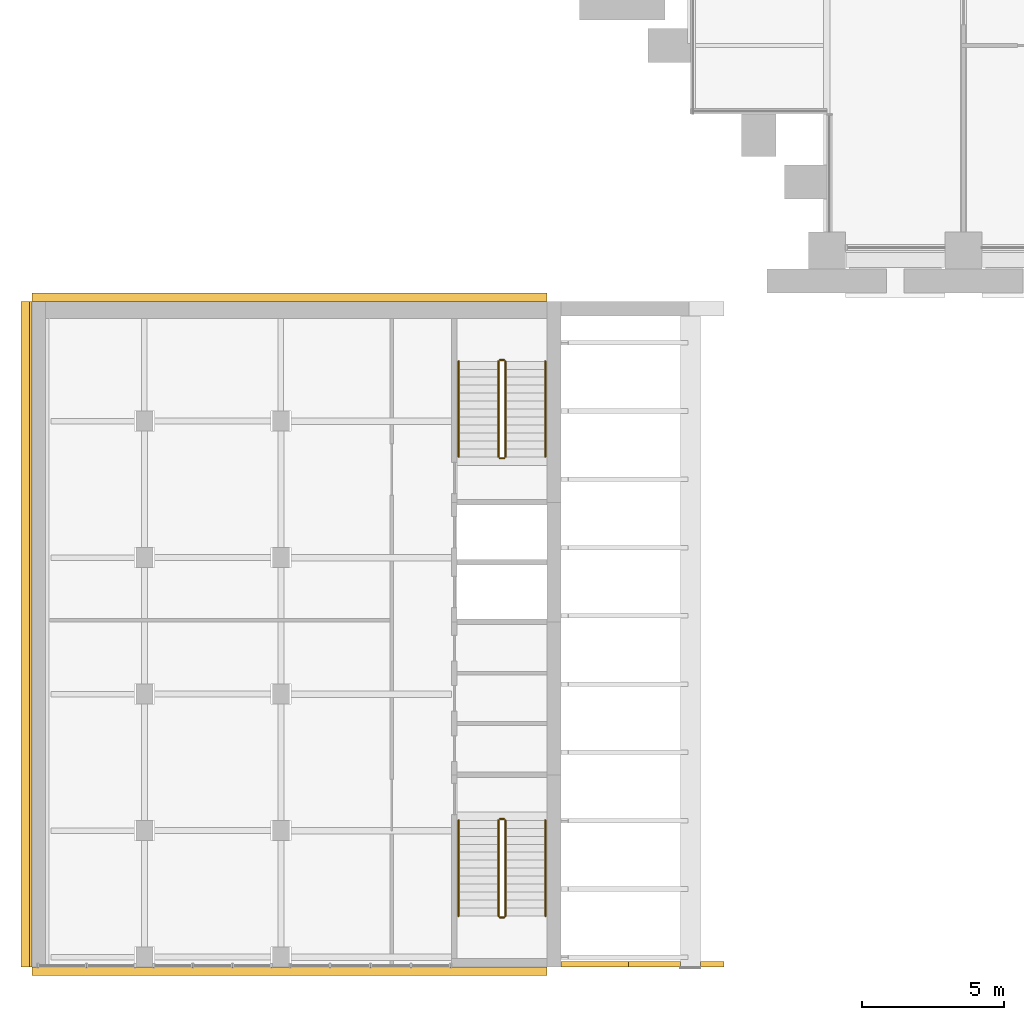
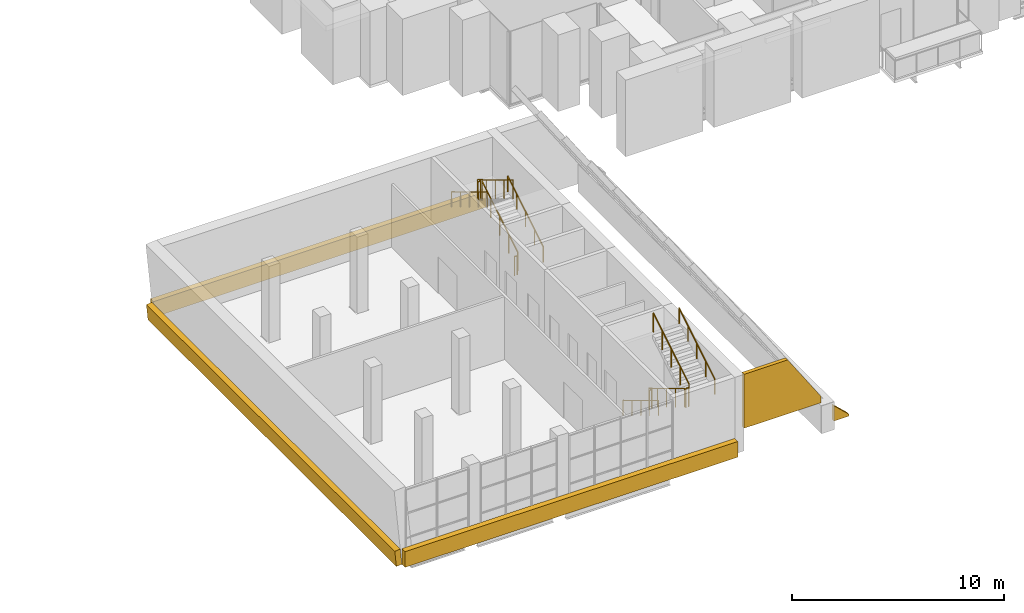
# One storey, part 29 of 32: 12 railings, 5 coverings.
"""IFC4 building model written with IfcOpenShell, lengths in metres."""

from ifc_helpers import new_model, si_unit, direction, frame, origin, origin_2d, place, context, subcontext, project, spatial, polyline, circle, outline, extrude, material, layer, layer_set, type_object, element, save


model = new_model("IFC4")

# Units and contexts
model_context = context("Model", 3, precision=1e-05, world=origin(), true_north=direction((0.0, 1.0)))
body_context = subcontext(model_context, "Body", "Model", "MODEL_VIEW")
ifc_project = project(units=[si_unit("LENGTHUNIT", "METRE"), si_unit("AREAUNIT", "SQUARE_METRE"), si_unit("VOLUMEUNIT", "CUBIC_METRE"), si_unit("PLANEANGLEUNIT", "RADIAN"), si_unit("MASSUNIT", "GRAM", prefix="KILO")], contexts=[model_context])

# Site, building, storey
site_placement = place(None, origin())
site = spatial("IfcSite", under=ifc_project, at=site_placement, CompositionType="ELEMENT")
building_placement = place(site_placement, origin())
building = spatial("IfcBuilding", under=site, at=building_placement, Name="Baori Bourse Tower", CompositionType="ELEMENT")
storey_placement = place(building_placement, frame((0.0, 0.0, 21.39990234375)))
storey = spatial("IfcBuildingStorey", under=building, at=storey_placement, Name="L03", CompositionType="ELEMENT", Elevation=21.39990234375)

# Coverings
ifc_material_1 = material(Name="Pale anodised aluminium", Category="aluminium")
ifc_layer_1 = layer(ifc_material_1, 0.199951171875)
ifc_layer_set_1 = layer_set([ifc_layer_1], Name="Fascia metal band 200")
covering_type_1 = type_object("IfcCoveringType", Name="Fascia metal band 200", PredefinedType="CLADDING", material=ifc_layer_set_1)
covering_1_placement = place(storey_placement, frame((0.25, -25.10009765625, 1.300048828125), z_axis=(0.0, 0.0, 1.0), x_axis=(1.0, 0.0, 0.0)))
element("IfcCovering", 1, at=covering_1_placement, inside=storey, type_object=covering_type_1, Name="wing/L03/fascia/001", PredefinedType="CLADDING", context=body_context, shape_type="SweptSolid", body=[
    extrude(outline(polyline([(0.0, 0.0), (4.199951171875, 0.0), (4.199951171875, 0.35693359375), (2.37744140625, 3.10009765625), (0.0, 3.10009765625), (0.0, 0.0)])), frame((0.0, 0.10009765625, 0.0), z_axis=(0.0, -1.0, 0.0), x_axis=(1.0, 0.0, 0.0)), (0.0, 0.0, 1.0), 0.199951171875),
])
covering_2_placement = place(storey_placement, frame((5.14990234375, -25.10009765625, 0.0), z_axis=(0.0, 0.0, 1.0), x_axis=(1.0, 0.0, 0.0)))
element("IfcCovering", 2, at=covering_2_placement, inside=storey, type_object=covering_type_1, Name="wing/L03/fascia/002", PredefinedType="CLADDING", context=body_context, shape_type="SweptSolid", body=[
    extrude(outline(polyline([(0.0, 0.0), (0.8232421875, 0.0), (0.8232421875, 0.10009765625), (0.0, 0.869140625), (0.0, 0.0)])), frame((0.0, 0.10009765625, 0.0), z_axis=(0.0, -1.0, 0.0), x_axis=(1.0, 0.0, 0.0)), (0.0, 0.0, 1.0), 0.199951171875),
])
ifc_material_2 = material(Name="Pale anodised aluminium", Category="aluminium")
ifc_layer_2 = layer(ifc_material_2, 0.300048828125)
ifc_layer_set_2 = layer_set([ifc_layer_2], Name="Pale metal band 900x300")
covering_type_2 = type_object("IfcCoveringType", Name="Pale metal band 900x300", PredefinedType="CLADDING", material=ifc_layer_set_2)
covering_3_placement = place(storey_placement, origin())
element("IfcCovering", 3, at=covering_3_placement, inside=storey, type_object=covering_type_2, Name="BAND", PredefinedType="CLADDING", context=body_context, shape_type="SweptSolid", body=[
    extrude(outline(polyline([(-18.3525390625, -25.5), (-0.25, -25.5), (-0.25, -25.199951171875), (-18.3525390625, -25.199951171875), (-18.3525390625, -25.5)])), origin(), (0.0, 0.0, 1.0), 0.900146484375),
])
covering_4_placement = place(storey_placement, origin())
element("IfcCovering", 4, at=covering_4_placement, inside=storey, type_object=covering_type_2, Name="BAND", PredefinedType="CLADDING", context=body_context, shape_type="SweptSolid", body=[
    extrude(outline(polyline([(-18.3525390625, -1.800048828125), (-0.25, -1.800048828125), (-0.25, -1.5), (-18.3525390625, -1.5), (-18.3525390625, -1.800048828125)])), origin(), (0.0, 0.0, 1.0), 0.900146484375),
])
covering_5_placement = place(storey_placement, frame((-18.3525390625, -25.199951171875, 0.0), z_axis=(0.995396654785, 0.0, 0.095841012327), x_axis=(0.0, 1.0, 0.0)))
element("IfcCovering", 5, at=covering_5_placement, inside=storey, type_object=covering_type_2, Name="BAND", PredefinedType="CLADDING", context=body_context, shape_type="SweptSolid", body=[
    extrude(outline(polyline([(0.0, 0.0), (23.39990234375, 0.0), (23.39990234375, 0.9043093324136883), (0.0, 0.9043093324136883), (0.0, 0.0)])), origin(), (0.0, 0.0, -1.0), 0.300048828125),
])

# Railings
ifc_material_3 = material(Name="Stainless steel AISI 316", Category="steel")
railing_type_1 = type_object("IfcRailingType", Name="Wing guard 1100", PredefinedType="GUARDRAIL", material=ifc_material_3)
railing_1_placement = place(storey_placement, frame((-1.699951171875, -7.260009765625, 0.16943359375)))
element("IfcRailing", 6, at=railing_1_placement, inside=storey, type_object=railing_type_1, Name="L03 W-STA stair guard 1", PredefinedType="GUARDRAIL", context=body_context, shape_type="SweptSolid", body=[
    extrude(circle(Radius=0.02392578125, at=origin_2d()), frame((0.0, 0.0, 1.076171875), z_axis=(0.0, 0.855836976705, 0.517245656632), x_axis=(-1.0, 0.0, 0.0)), (0.0, 0.0, 1.0), 3.926025390625),
    extrude(circle(Radius=0.02099609375, at=origin_2d()), origin(), (0.0, 0.0, 1.0), 1.052001953125),
    extrude(circle(Radius=0.02099609375, at=origin_2d()), frame((0.0, 0.840087890625, 0.5078125)), (0.0, 0.0, 1.0), 1.052001953125),
    extrude(circle(Radius=0.02099609375, at=origin_2d()), frame((0.0, 1.68017578125, 1.015380859375)), (0.0, 0.0, 1.0), 1.052001953125),
    extrude(circle(Radius=0.02099609375, at=origin_2d()), frame((0.0, 2.52001953125, 1.52294921875)), (0.0, 0.0, 1.0), 1.052001953125),
    extrude(circle(Radius=0.02099609375, at=origin_2d()), frame((0.0, 3.360107421875, 2.03076171875)), (0.0, 0.0, 1.0), 1.052001953125),
])
railing_2_placement = place(storey_placement, frame((-1.75, -3.85009765625, 2.2001953125)))
element("IfcRailing", 7, at=railing_2_placement, inside=storey, type_object=railing_type_1, Name="L03 W-STA stair guard 2", PredefinedType="GUARDRAIL", context=body_context, shape_type="SweptSolid", body=[
    extrude(circle(Radius=0.02392578125, at=origin_2d()), frame((0.0, 0.0, 1.076171875), z_axis=(-1.0, 0.0, 0.0), x_axis=(0.0, -1.0, 0.0)), (0.0, 0.0, 1.0), 0.14990234375),
    extrude(circle(Radius=0.02099609375, at=origin_2d()), origin(), (0.0, 0.0, 1.0), 1.052001953125),
    extrude(circle(Radius=0.02099609375, at=origin_2d()), frame((-0.14990234375, 0.0, 0.0)), (0.0, 0.0, 1.0), 1.052001953125),
])
railing_3_placement = place(storey_placement, frame((-1.949951171875, -3.89990234375, 2.369384765625)))
element("IfcRailing", 8, at=railing_3_placement, inside=storey, type_object=railing_type_1, Name="L03 W-STA stair guard 3", PredefinedType="GUARDRAIL", context=body_context, shape_type="SweptSolid", body=[
    extrude(circle(Radius=0.02392578125, at=origin_2d()), frame((0.0, 0.0, 1.076171875), z_axis=(0.0, -0.855836976705, 0.517245656632), x_axis=(1.0, 0.0, 0.0)), (0.0, 0.0, 1.0), 3.926025390625),
    extrude(circle(Radius=0.02099609375, at=origin_2d()), origin(), (0.0, 0.0, 1.0), 1.052001953125),
    extrude(circle(Radius=0.02099609375, at=origin_2d()), frame((0.0, -0.840087890625, 0.5078125)), (0.0, 0.0, 1.0), 1.052001953125),
    extrude(circle(Radius=0.02099609375, at=origin_2d()), frame((0.0, -1.68017578125, 1.015380859375)), (0.0, 0.0, 1.0), 1.052001953125),
    extrude(circle(Radius=0.02099609375, at=origin_2d()), frame((0.0, -2.52001953125, 1.52294921875)), (0.0, 0.0, 1.0), 1.052001953125),
    extrude(circle(Radius=0.02099609375, at=origin_2d()), frame((0.0, -3.360107421875, 2.03076171875)), (0.0, 0.0, 1.0), 1.052001953125),
])
railing_4_placement = place(storey_placement, frame((-1.75, -7.31005859375, 0.0)))
element("IfcRailing", 9, at=railing_4_placement, inside=storey, type_object=railing_type_1, Name="L03 W-STA stair guard 4", PredefinedType="GUARDRAIL", context=body_context, shape_type="SweptSolid", body=[
    extrude(circle(Radius=0.02392578125, at=origin_2d()), frame((0.0, 0.0, 1.076171875), z_axis=(-1.0, 0.0, 0.0), x_axis=(0.0, -1.0, 0.0)), (0.0, 0.0, 1.0), 0.14990234375),
    extrude(circle(Radius=0.02099609375, at=origin_2d()), origin(), (0.0, 0.0, 1.0), 1.052001953125),
    extrude(circle(Radius=0.02099609375, at=origin_2d()), frame((-0.14990234375, 0.0, 0.0)), (0.0, 0.0, 1.0), 1.052001953125),
])
railing_5_placement = place(storey_placement, frame((-1.949951171875, -20.0400390625, 0.16943359375)))
element("IfcRailing", 10, at=railing_5_placement, inside=storey, type_object=railing_type_1, Name="L03 W-STB stair guard 1", PredefinedType="GUARDRAIL", context=body_context, shape_type="SweptSolid", body=[
    extrude(circle(Radius=0.02392578125, at=origin_2d()), frame((0.0, 0.0, 1.076171875), z_axis=(0.0, -0.855820338506, 0.51727318527), x_axis=(1.0, 0.0, 0.0)), (0.0, 0.0, 1.0), 3.92578125),
    extrude(circle(Radius=0.02099609375, at=origin_2d()), origin(), (0.0, 0.0, 1.0), 1.052001953125),
    extrude(circle(Radius=0.02099609375, at=origin_2d()), frame((0.0, -0.83984375, 0.5078125)), (0.0, 0.0, 1.0), 1.052001953125),
    extrude(circle(Radius=0.02099609375, at=origin_2d()), frame((0.0, -1.679931640625, 1.015380859375)), (0.0, 0.0, 1.0), 1.052001953125),
    extrude(circle(Radius=0.02099609375, at=origin_2d()), frame((0.0, -2.52001953125, 1.52294921875)), (0.0, 0.0, 1.0), 1.052001953125),
    extrude(circle(Radius=0.02099609375, at=origin_2d()), frame((0.0, -3.35986328125, 2.03076171875)), (0.0, 0.0, 1.0), 1.052001953125),
])
railing_6_placement = place(storey_placement, frame((-1.89990234375, -23.449951171875, 2.2001953125)))
element("IfcRailing", 11, at=railing_6_placement, inside=storey, type_object=railing_type_1, Name="L03 W-STB stair guard 2", PredefinedType="GUARDRAIL", context=body_context, shape_type="SweptSolid", body=[
    extrude(circle(Radius=0.02392578125, at=origin_2d()), frame((0.0, 0.0, 1.076171875), z_axis=(1.0, 0.0, 0.0), x_axis=(0.0, 1.0, 0.0)), (0.0, 0.0, 1.0), 0.14990234375),
    extrude(circle(Radius=0.02099609375, at=origin_2d()), origin(), (0.0, 0.0, 1.0), 1.052001953125),
    extrude(circle(Radius=0.02099609375, at=origin_2d()), frame((0.14990234375, 0.0, 0.0)), (0.0, 0.0, 1.0), 1.052001953125),
])
railing_7_placement = place(storey_placement, frame((-1.699951171875, -23.39990234375, 2.369384765625)))
element("IfcRailing", 12, at=railing_7_placement, inside=storey, type_object=railing_type_1, Name="L03 W-STB stair guard 3", PredefinedType="GUARDRAIL", context=body_context, shape_type="SweptSolid", body=[
    extrude(circle(Radius=0.02392578125, at=origin_2d()), frame((0.0, 0.0, 1.076171875), z_axis=(0.0, 0.855820338506, 0.51727318527), x_axis=(-1.0, 0.0, 0.0)), (0.0, 0.0, 1.0), 3.92578125),
    extrude(circle(Radius=0.02099609375, at=origin_2d()), origin(), (0.0, 0.0, 1.0), 1.052001953125),
    extrude(circle(Radius=0.02099609375, at=origin_2d()), frame((0.0, 0.83984375, 0.5078125)), (0.0, 0.0, 1.0), 1.052001953125),
    extrude(circle(Radius=0.02099609375, at=origin_2d()), frame((0.0, 1.679931640625, 1.015380859375)), (0.0, 0.0, 1.0), 1.052001953125),
    extrude(circle(Radius=0.02099609375, at=origin_2d()), frame((0.0, 2.52001953125, 1.52294921875)), (0.0, 0.0, 1.0), 1.052001953125),
    extrude(circle(Radius=0.02099609375, at=origin_2d()), frame((0.0, 3.35986328125, 2.03076171875)), (0.0, 0.0, 1.0), 1.052001953125),
])
railing_8_placement = place(storey_placement, frame((-1.89990234375, -19.989990234375, 0.0)))
element("IfcRailing", 13, at=railing_8_placement, inside=storey, type_object=railing_type_1, Name="L03 W-STB stair guard 4", PredefinedType="GUARDRAIL", context=body_context, shape_type="SweptSolid", body=[
    extrude(circle(Radius=0.02392578125, at=origin_2d()), frame((0.0, 0.0, 1.076171875), z_axis=(1.0, 0.0, 0.0), x_axis=(0.0, 1.0, 0.0)), (0.0, 0.0, 1.0), 0.14990234375),
    extrude(circle(Radius=0.02099609375, at=origin_2d()), origin(), (0.0, 0.0, 1.0), 1.052001953125),
    extrude(circle(Radius=0.02099609375, at=origin_2d()), frame((0.14990234375, 0.0, 0.0)), (0.0, 0.0, 1.0), 1.052001953125),
])
ifc_material_4 = material(Name="Stainless steel AISI 316", Category="steel")
railing_type_2 = type_object("IfcRailingType", Name="Wing handrail 900", PredefinedType="HANDRAIL", material=ifc_material_4)
railing_9_placement = place(storey_placement, frame((-0.300048828125, -7.260009765625, 0.16943359375)))
element("IfcRailing", 14, at=railing_9_placement, inside=storey, type_object=railing_type_2, Name="L03 W-STA stair handrail 1", PredefinedType="HANDRAIL", context=body_context, shape_type="SweptSolid", body=[
    extrude(circle(Radius=0.02392578125, at=origin_2d()), frame((0.0, 0.0, 0.8759765625), z_axis=(0.0, 0.855836976705, 0.517245656632), x_axis=(-1.0, 0.0, 0.0)), (0.0, 0.0, 1.0), 3.926025390625),
    extrude(circle(Radius=0.02099609375, at=origin_2d()), origin(), (0.0, 0.0, 1.0), 0.851806640625),
    extrude(circle(Radius=0.02099609375, at=origin_2d()), frame((0.0, 0.840087890625, 0.5078125)), (0.0, 0.0, 1.0), 0.851806640625),
    extrude(circle(Radius=0.02099609375, at=origin_2d()), frame((0.0, 1.68017578125, 1.015380859375)), (0.0, 0.0, 1.0), 0.851806640625),
    extrude(circle(Radius=0.02099609375, at=origin_2d()), frame((0.0, 2.52001953125, 1.52294921875)), (0.0, 0.0, 1.0), 0.851806640625),
    extrude(circle(Radius=0.02099609375, at=origin_2d()), frame((0.0, 3.360107421875, 2.03076171875)), (0.0, 0.0, 1.0), 0.851806640625),
])
railing_10_placement = place(storey_placement, frame((-3.35009765625, -3.89990234375, 2.369384765625)))
element("IfcRailing", 15, at=railing_10_placement, inside=storey, type_object=railing_type_2, Name="L03 W-STA stair handrail 2", PredefinedType="HANDRAIL", context=body_context, shape_type="SweptSolid", body=[
    extrude(circle(Radius=0.02392578125, at=origin_2d()), frame((0.0, 0.0, 0.8759765625), z_axis=(0.0, -0.855836976705, 0.517245656632), x_axis=(1.0, 0.0, 0.0)), (0.0, 0.0, 1.0), 3.926025390625),
    extrude(circle(Radius=0.02099609375, at=origin_2d()), origin(), (0.0, 0.0, 1.0), 0.851806640625),
    extrude(circle(Radius=0.02099609375, at=origin_2d()), frame((0.0, -0.840087890625, 0.5078125)), (0.0, 0.0, 1.0), 0.851806640625),
    extrude(circle(Radius=0.02099609375, at=origin_2d()), frame((0.0, -1.68017578125, 1.015380859375)), (0.0, 0.0, 1.0), 0.851806640625),
    extrude(circle(Radius=0.02099609375, at=origin_2d()), frame((0.0, -2.52001953125, 1.52294921875)), (0.0, 0.0, 1.0), 0.851806640625),
    extrude(circle(Radius=0.02099609375, at=origin_2d()), frame((0.0, -3.360107421875, 2.03076171875)), (0.0, 0.0, 1.0), 0.851806640625),
])
railing_11_placement = place(storey_placement, frame((-3.35009765625, -20.0400390625, 0.16943359375)))
element("IfcRailing", 16, at=railing_11_placement, inside=storey, type_object=railing_type_2, Name="L03 W-STB stair handrail 1", PredefinedType="HANDRAIL", context=body_context, shape_type="SweptSolid", body=[
    extrude(circle(Radius=0.02392578125, at=origin_2d()), frame((0.0, 0.0, 0.8759765625), z_axis=(0.0, -0.855820338506, 0.51727318527), x_axis=(1.0, 0.0, 0.0)), (0.0, 0.0, 1.0), 3.92578125),
    extrude(circle(Radius=0.02099609375, at=origin_2d()), origin(), (0.0, 0.0, 1.0), 0.851806640625),
    extrude(circle(Radius=0.02099609375, at=origin_2d()), frame((0.0, -0.83984375, 0.5078125)), (0.0, 0.0, 1.0), 0.851806640625),
    extrude(circle(Radius=0.02099609375, at=origin_2d()), frame((0.0, -1.679931640625, 1.015380859375)), (0.0, 0.0, 1.0), 0.851806640625),
    extrude(circle(Radius=0.02099609375, at=origin_2d()), frame((0.0, -2.52001953125, 1.52294921875)), (0.0, 0.0, 1.0), 0.851806640625),
    extrude(circle(Radius=0.02099609375, at=origin_2d()), frame((0.0, -3.35986328125, 2.03076171875)), (0.0, 0.0, 1.0), 0.851806640625),
])
railing_12_placement = place(storey_placement, frame((-0.300048828125, -23.39990234375, 2.369384765625)))
element("IfcRailing", 17, at=railing_12_placement, inside=storey, type_object=railing_type_2, Name="L03 W-STB stair handrail 2", PredefinedType="HANDRAIL", context=body_context, shape_type="SweptSolid", body=[
    extrude(circle(Radius=0.02392578125, at=origin_2d()), frame((0.0, 0.0, 0.8759765625), z_axis=(0.0, 0.855820338506, 0.51727318527), x_axis=(-1.0, 0.0, 0.0)), (0.0, 0.0, 1.0), 3.92578125),
    extrude(circle(Radius=0.02099609375, at=origin_2d()), origin(), (0.0, 0.0, 1.0), 0.851806640625),
    extrude(circle(Radius=0.02099609375, at=origin_2d()), frame((0.0, 0.83984375, 0.5078125)), (0.0, 0.0, 1.0), 0.851806640625),
    extrude(circle(Radius=0.02099609375, at=origin_2d()), frame((0.0, 1.679931640625, 1.015380859375)), (0.0, 0.0, 1.0), 0.851806640625),
    extrude(circle(Radius=0.02099609375, at=origin_2d()), frame((0.0, 2.52001953125, 1.52294921875)), (0.0, 0.0, 1.0), 0.851806640625),
    extrude(circle(Radius=0.02099609375, at=origin_2d()), frame((0.0, 3.35986328125, 2.03076171875)), (0.0, 0.0, 1.0), 0.851806640625),
])

save(model, "model.ifc")
